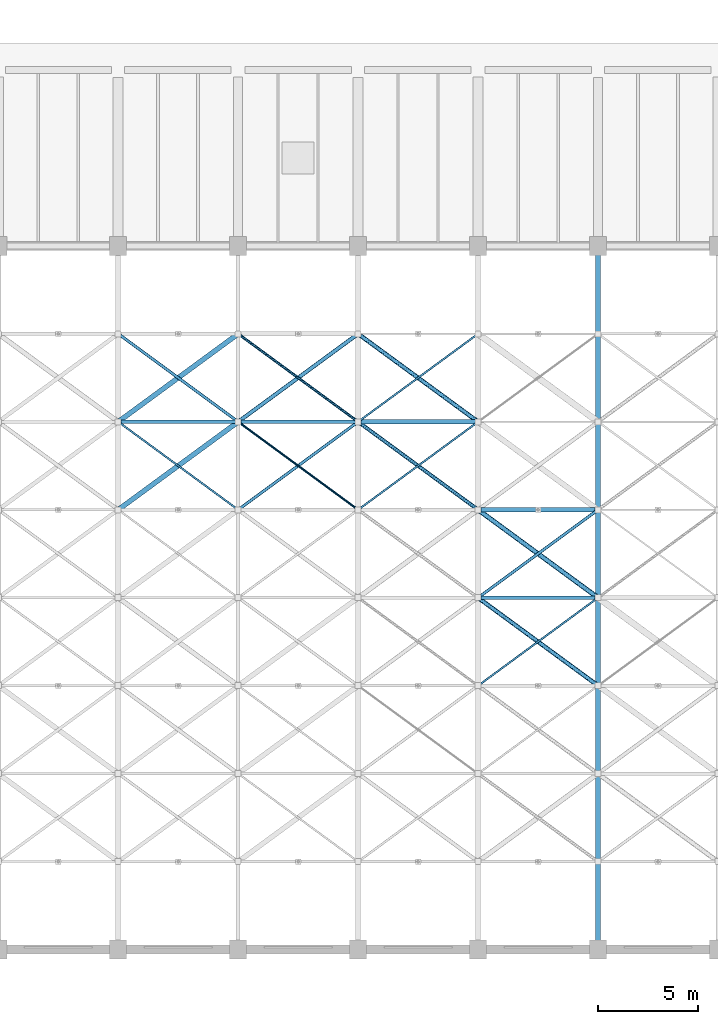
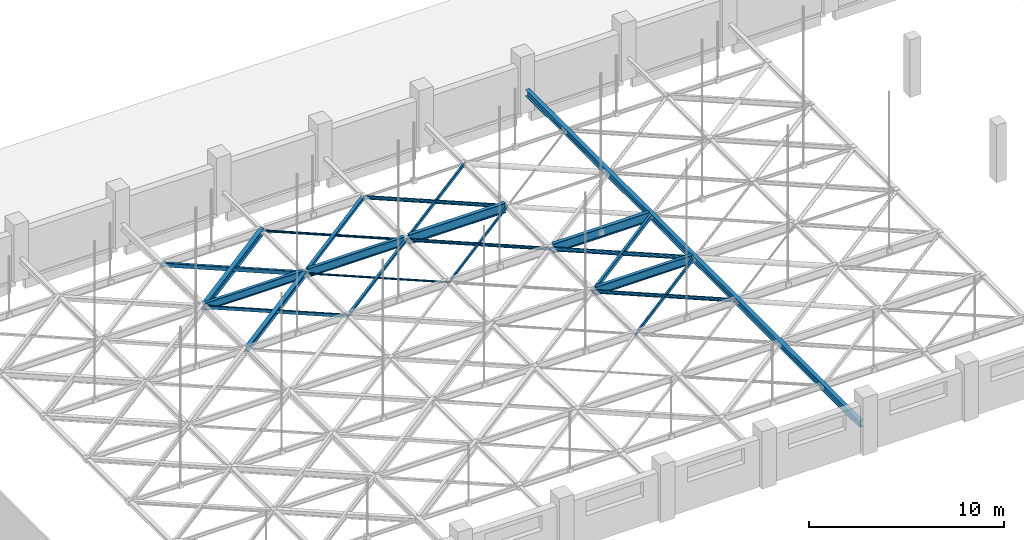
# One storey, part 44 of 93: 16 members, 6 beams.
"""IFC4 building model written with IfcOpenShell, lengths in metres."""

from ifc_helpers import new_model, si_unit, direction, frame, origin, origin_2d, place, context, subcontext, project, spatial, hollow_rectangle, hollow_circle, i_section, extrude, material, material_profile, profile_set, type_object, element, save


model = new_model("IFC4")

# Units and contexts
model_context = context("Model", 3, precision=1e-05, world=origin(), true_north=direction((0.0, 1.0)))
body_context = subcontext(model_context, "Body", "Model", "MODEL_VIEW")
ifc_project = project(units=[si_unit("LENGTHUNIT", "METRE"), si_unit("AREAUNIT", "SQUARE_METRE"), si_unit("VOLUMEUNIT", "CUBIC_METRE"), si_unit("PLANEANGLEUNIT", "RADIAN"), si_unit("MASSUNIT", "GRAM", prefix="KILO")], contexts=[model_context])

# Site, building, storey
site_placement = place(None, origin())
site = spatial("IfcSite", under=ifc_project, at=site_placement, CompositionType="ELEMENT")
building_placement = place(site_placement, origin())
building = spatial("IfcBuilding", under=site, at=building_placement, Name="Varnakota Cinema and Media Centre", CompositionType="ELEMENT")
storey_placement = place(building_placement, frame((0.0, 0.0, 12.0)))
storey = spatial("IfcBuildingStorey", under=building, at=storey_placement, Name="L03", CompositionType="ELEMENT", Elevation=12.0)

# Beams
ifc_material_1 = material(Name="Structural steel Grade 350 (E350)", Category="steel")
ifc_material_profile_1 = material_profile(ifc_material_1, i_section(OverallWidth=0.25, OverallDepth=0.39990234375, WebThickness=0.010498046875, FlangeThickness=0.0126953125, FilletRadius=0.011962890625, at=origin_2d()), Name="ISHB 400")
ifc_profile_set_1 = profile_set([ifc_material_profile_1], Name="Structural steel Grade 350 (E350)")
beam_type_1 = type_object("IfcBeamType", Name="BM-ST-ISHB400", PredefinedType="BEAM", material=ifc_profile_set_1)
beam_1_placement = place(storey_placement, frame((117.0, 0.449951171875, 1.300048828125), z_axis=(0.0, 1.0, 0.0), x_axis=(-1.0, 0.0, 0.0)))
element("IfcBeam", 1, at=beam_1_placement, inside=storey, type_object=beam_type_1, Name="V1 acoustic rigging main beam 8", PredefinedType="BEAM", context=body_context, shape_type="SweptSolid", body=[
    extrude(i_section(OverallWidth=0.25, OverallDepth=0.39990234375, WebThickness=0.010498046875, FlangeThickness=0.0126953125, FilletRadius=0.011962890625, at=origin_2d()), origin(), (0.0, 0.0, 1.0), 34.300048828125),
])
ifc_material_2 = material(Name="Structural steel Grade 350 (E350)", Category="steel")
ifc_material_profile_2 = material_profile(ifc_material_2, i_section(OverallWidth=0.179931640625, OverallDepth=0.5, WebThickness=0.01025390625, FlangeThickness=0.01708984375, FilletRadius=0.01708984375, at=origin_2d()), Name="ISMB 500")
ifc_profile_set_2 = profile_set([ifc_material_profile_2], Name="Structural steel Grade 350 (E350)")
beam_type_2 = type_object("IfcBeamType", Name="BM-ST-ISMB500", PredefinedType="BEAM", material=ifc_profile_set_2)
beam_2_placement = place(storey_placement, frame((93.139892578125, 26.39990234375, 1.300048828125), z_axis=(1.0, 0.0, 0.0), x_axis=(0.0, 1.0, 0.0)))
element("IfcBeam", 2, at=beam_2_placement, inside=storey, type_object=beam_type_2, Name="V1 rigging beam 4.6", PredefinedType="BEAM", context=body_context, shape_type="SweptSolid", body=[
    extrude(i_section(OverallWidth=0.179931640625, OverallDepth=0.5, WebThickness=0.01025390625, FlangeThickness=0.01708984375, FilletRadius=0.01708984375, at=origin_2d()), origin(), (0.0, 0.0, 1.0), 5.72021484375),
])
ifc_material_3 = material(Name="Structural steel Grade 350 (E350)", Category="steel")
ifc_material_profile_3 = material_profile(ifc_material_3, i_section(OverallWidth=0.18994140625, OverallDepth=0.550048828125, WebThickness=0.01123046875, FlangeThickness=0.019287109375, FilletRadius=0.01806640625, at=origin_2d()), Name="ISMB 550")
ifc_profile_set_3 = profile_set([ifc_material_profile_3], Name="Structural steel Grade 350 (E350)")
beam_type_3 = type_object("IfcBeamType", Name="BM-ST-ISMB550", PredefinedType="BEAM", material=ifc_profile_set_3)
for number, where, z_axis, x_axis, name in (
    (3, (99.139892578125, 26.39990234375, 1.300048828125), (1.0, 0.0, 0.0), (0.0, 1.0, 0.0), "V1 rigging beam 5.6"),
    (4, (111.139892578125, 17.60009765625, 1.300048828125), (1.0, 0.0, 0.0), (0.0, 1.0, 0.0), "V1 rigging beam 7.4"),
):
    element("IfcBeam", number, at=place(storey_placement, frame(where, z_axis=z_axis, x_axis=x_axis)), inside=storey, type_object=beam_type_3, Name=name, PredefinedType="BEAM", context=body_context, shape_type="SweptSolid", body=[
        extrude(i_section(OverallWidth=0.18994140625, OverallDepth=0.550048828125, WebThickness=0.01123046875, FlangeThickness=0.019287109375, FilletRadius=0.01806640625, at=origin_2d()), origin(), (0.0, 0.0, 1.0), 5.72021484375),
    ])
ifc_material_4 = material(Name="Structural steel Grade 350 (E350)", Category="steel")
ifc_material_profile_4 = material_profile(ifc_material_4, i_section(OverallWidth=0.2099609375, OverallDepth=0.60009765625, WebThickness=0.011962890625, FlangeThickness=0.020751953125, FilletRadius=0.02001953125, at=origin_2d()), Name="ISMB 600")
ifc_profile_set_4 = profile_set([ifc_material_profile_4], Name="Structural steel Grade 350 (E350)")
beam_type_4 = type_object("IfcBeamType", Name="BM-ST-ISMB600", PredefinedType="BEAM", material=ifc_profile_set_4)
for number, where, z_axis, x_axis, name in (
    (5, (105.139892578125, 26.39990234375, 1.300048828125), (1.0, 0.0, 0.0), (0.0, 1.0, 0.0), "V1 rigging beam 6.6"),
    (6, (111.139892578125, 22.0, 1.300048828125), (1.0, 0.0, 0.0), (0.0, 1.0, 0.0), "V1 rigging beam 7.5"),
):
    element("IfcBeam", number, at=place(storey_placement, frame(where, z_axis=z_axis, x_axis=x_axis)), inside=storey, type_object=beam_type_4, Name=name, PredefinedType="BEAM", context=body_context, shape_type="SweptSolid", body=[
        extrude(i_section(OverallWidth=0.2099609375, OverallDepth=0.60009765625, WebThickness=0.011962890625, FlangeThickness=0.020751953125, FilletRadius=0.02001953125, at=origin_2d()), origin(), (0.0, 0.0, 1.0), 5.72021484375),
    ])

# Members
ifc_material_5 = material(Name="Structural steel S355 (YSt 355)", Category="steel")
ifc_material_profile_5 = material_profile(ifc_material_5, hollow_circle(Radius=0.05712890625, WallThickness=0.00537109375, at=origin_2d()), Name="CHS 114.3x5.4")
ifc_profile_set_5 = profile_set([ifc_material_profile_5], Name="Structural steel S355 (YSt 355)")
member_type_1 = type_object("IfcMemberType", Name="MEM-ST-CHS114_3x5_4", PredefinedType="BRACE", material=ifc_profile_set_5)
member_1_placement = place(storey_placement, frame((105.0, 22.0, 1.300048828125), z_axis=(-0.80641125493, 0.591355128432, 0.0), x_axis=(-0.591355128432, -0.80641125493, 0.0)))
element("IfcMember", 7, at=member_1_placement, inside=storey, type_object=member_type_1, Name="V1 rigging plan member B 5.5", PredefinedType="BRACE", context=body_context, shape_type="SweptSolid", body=[
    extrude(hollow_circle(Radius=0.05712890625, WallThickness=0.00537109375, at=origin_2d()), origin(), (0.0, 0.0, 1.0), 7.4404296875),
])
ifc_material_6 = material(Name="Structural steel S355 (YSt 355)", Category="steel")
ifc_material_profile_6 = material_profile(ifc_material_6, hollow_circle(Radius=0.06982421875, WallThickness=0.006103515625, at=origin_2d()), Name="CHS 139.7x6.0")
ifc_profile_set_6 = profile_set([ifc_material_profile_6], Name="Structural steel S355 (YSt 355)")
member_type_2 = type_object("IfcMemberType", Name="MEM-ST-CHS139_7x6_0", PredefinedType="CHORD", material=ifc_profile_set_6)
member_2_placement = place(storey_placement, frame((105.0, 26.39990234375, 1.300048828125), z_axis=(-0.806395607258, 0.591376466048, 0.0), x_axis=(-0.591376466048, -0.806395607258, 0.0)))
element("IfcMember", 8, at=member_2_placement, inside=storey, type_object=member_type_2, Name="V1 rigging plan member B 5.6", PredefinedType="CHORD", context=body_context, shape_type="SweptSolid", body=[
    extrude(hollow_circle(Radius=0.06982421875, WallThickness=0.006103515625, at=origin_2d()), origin(), (0.0, 0.0, 1.0), 7.4404296875),
])
ifc_material_7 = material(Name="Structural steel S355 (YSt 355)", Category="steel")
ifc_material_profile_7 = material_profile(ifc_material_7, hollow_circle(Radius=0.096923828125, WallThickness=0.00634765625, at=origin_2d()), Name="CHS 193.7x6.3")
ifc_profile_set_7 = profile_set([ifc_material_profile_7], Name="Structural steel S355 (YSt 355)")
member_type_3 = type_object("IfcMemberType", Name="MEM-ST-CHS193_7x6_3", PredefinedType="CHORD", material=ifc_profile_set_7)
member_3_placement = place(storey_placement, frame((111.0, 22.0, 1.300048828125), z_axis=(-0.80641125493, 0.591355128432, 0.0), x_axis=(-0.591355128432, -0.80641125493, 0.0)))
element("IfcMember", 9, at=member_3_placement, inside=storey, type_object=member_type_3, Name="V1 rigging plan member B 6.5", PredefinedType="CHORD", context=body_context, shape_type="SweptSolid", body=[
    extrude(hollow_circle(Radius=0.096923828125, WallThickness=0.00634765625, at=origin_2d()), origin(), (0.0, 0.0, 1.0), 7.4404296875),
])
ifc_material_8 = material(Name="Structural steel S355 (YSt 355)", Category="steel")
ifc_material_profile_8 = material_profile(ifc_material_8, hollow_circle(Radius=0.109619140625, WallThickness=0.008056640625, at=origin_2d()), Name="CHS 219.1x8.0")
ifc_profile_set_8 = profile_set([ifc_material_profile_8], Name="Structural steel S355 (YSt 355)")
member_type_4 = type_object("IfcMemberType", Name="MEM-ST-CHS219_1x8_0", PredefinedType="BRACE", material=ifc_profile_set_8)
for number, where, z_axis, x_axis, name in (
    (10, (111.0, 26.39990234375, 1.300048828125), (-0.806395607258, 0.591376466048, 0.0), (-0.591376466048, -0.806395607258, 0.0), "V1 rigging plan member B 6.6"),
    (11, (117.0, 13.199951171875, 1.300048828125), (-0.806395607258, 0.591376466048, 0.0), (-0.591376466048, -0.806395607258, 0.0), "V1 rigging plan member B 7.3"),
):
    element("IfcMember", number, at=place(storey_placement, frame(where, z_axis=z_axis, x_axis=x_axis)), inside=storey, type_object=member_type_4, Name=name, PredefinedType="BRACE", context=body_context, shape_type="SweptSolid", body=[
        extrude(hollow_circle(Radius=0.109619140625, WallThickness=0.008056640625, at=origin_2d()), origin(), (0.0, 0.0, 1.0), 7.4404296875),
    ])
ifc_material_9 = material(Name="Structural steel S355 (YSt 355)", Category="steel")
ifc_material_profile_9 = material_profile(ifc_material_9, hollow_circle(Radius=0.122314453125, WallThickness=0.008056640625, at=origin_2d()), Name="CHS 244.5x8.0")
ifc_profile_set_9 = profile_set([ifc_material_profile_9], Name="Structural steel S355 (YSt 355)")
member_type_5 = type_object("IfcMemberType", Name="MEM-ST-CHS244_5x8_0", PredefinedType="CHORD", material=ifc_profile_set_9)
member_4_placement = place(storey_placement, frame((117.0, 17.60009765625, 1.300048828125), z_axis=(-0.80641125493, 0.591355128432, 0.0), x_axis=(-0.591355128432, -0.80641125493, 0.0)))
element("IfcMember", 12, at=member_4_placement, inside=storey, type_object=member_type_5, Name="V1 rigging plan member B 7.4", PredefinedType="CHORD", context=body_context, shape_type="SweptSolid", body=[
    extrude(hollow_circle(Radius=0.122314453125, WallThickness=0.008056640625, at=origin_2d()), origin(), (0.0, 0.0, 1.0), 7.4404296875),
])
ifc_material_10 = material(Name="Structural steel Grade 350 (E350)", Category="steel")
ifc_material_profile_10 = material_profile(ifc_material_10, i_section(OverallWidth=0.25, OverallDepth=0.300048828125, WebThickness=0.009521484375, FlangeThickness=0.010498046875, FilletRadius=0.010986328125, at=origin_2d()), Name="ISHB 300")
ifc_profile_set_10 = profile_set([ifc_material_profile_10], Name="Structural steel Grade 350 (E350)")
member_type_6 = type_object("IfcMemberType", Name="MEM-ST-ISHB300", PredefinedType="CHORD", material=ifc_profile_set_10)
member_5_placement = place(storey_placement, frame((93.0, 22.0, 1.300048828125), z_axis=(0.80641125493, 0.591355128432, 0.0), x_axis=(-0.591355128432, 0.80641125493, 0.0)))
element("IfcMember", 13, at=member_5_placement, inside=storey, type_object=member_type_6, Name="V1 rigging plan member A 4.5", PredefinedType="CHORD", context=body_context, shape_type="SweptSolid", body=[
    extrude(i_section(OverallWidth=0.25, OverallDepth=0.300048828125, WebThickness=0.009521484375, FlangeThickness=0.010498046875, FilletRadius=0.010986328125, at=origin_2d()), origin(), (0.0, 0.0, 1.0), 7.4404296875),
])
ifc_material_11 = material(Name="Structural steel Grade 350 (E350)", Category="steel")
ifc_material_profile_11 = material_profile(ifc_material_11, i_section(OverallWidth=0.25, OverallDepth=0.39990234375, WebThickness=0.010498046875, FlangeThickness=0.0126953125, FilletRadius=0.011962890625, at=origin_2d()), Name="ISHB 400")
ifc_profile_set_11 = profile_set([ifc_material_profile_11], Name="Structural steel Grade 350 (E350)")
member_type_7 = type_object("IfcMemberType", Name="MEM-ST-ISHB400", PredefinedType="CHORD", material=ifc_profile_set_11)
member_6_placement = place(storey_placement, frame((93.0, 26.39990234375, 1.300048828125), z_axis=(0.806395607258, 0.591376466048, 0.0), x_axis=(-0.591376466048, 0.806395607258, 0.0)))
element("IfcMember", 14, at=member_6_placement, inside=storey, type_object=member_type_7, Name="V1 rigging plan member A 4.6", PredefinedType="CHORD", context=body_context, shape_type="SweptSolid", body=[
    extrude(i_section(OverallWidth=0.25, OverallDepth=0.39990234375, WebThickness=0.010498046875, FlangeThickness=0.0126953125, FilletRadius=0.011962890625, at=origin_2d()), origin(), (0.0, 0.0, 1.0), 7.4404296875),
])
ifc_material_12 = material(Name="Structural steel S355 (YSt 355)", Category="steel")
ifc_material_profile_12 = material_profile(ifc_material_12, hollow_rectangle(XDim=0.10009765625, YDim=0.14990234375, WallThickness=0.006103515625, InnerFilletRadius=0.006103515625, OuterFilletRadius=0.011962890625, at=origin_2d()), Name="RHS 150x100x6")
ifc_profile_set_12 = profile_set([ifc_material_profile_12], Name="Structural steel S355 (YSt 355)")
member_type_8 = type_object("IfcMemberType", Name="MEM-ST-RHS150x100x6", PredefinedType="PURLIN", material=ifc_profile_set_12)
member_7_placement = place(storey_placement, frame((105.0, 22.0, 1.300048828125), z_axis=(0.80641125493, 0.591355128432, 0.0), x_axis=(-0.591355128432, 0.80641125493, 0.0)))
element("IfcMember", 15, at=member_7_placement, inside=storey, type_object=member_type_8, Name="V1 rigging plan member A 6.5", PredefinedType="PURLIN", context=body_context, shape_type="SweptSolid", body=[
    extrude(hollow_rectangle(XDim=0.10009765625, YDim=0.14990234375, WallThickness=0.006103515625, InnerFilletRadius=0.006103515625, OuterFilletRadius=0.011962890625, at=origin_2d()), origin(), (0.0, 0.0, 1.0), 7.4404296875),
])
ifc_material_13 = material(Name="Structural steel S355 (YSt 355)", Category="steel")
ifc_material_profile_13 = material_profile(ifc_material_13, hollow_rectangle(XDim=0.10009765625, YDim=0.199951171875, WallThickness=0.006103515625, InnerFilletRadius=0.006103515625, OuterFilletRadius=0.011962890625, at=origin_2d()), Name="RHS 200x100x6")
ifc_profile_set_13 = profile_set([ifc_material_profile_13], Name="Structural steel S355 (YSt 355)")
member_type_9 = type_object("IfcMemberType", Name="MEM-ST-RHS200x100x6", PredefinedType="PURLIN", material=ifc_profile_set_13)
for number, where, z_axis, x_axis, name in (
    (16, (99.0, 22.0, 1.300048828125), (-0.80641125493, 0.591355128432, 0.0), (-0.591355128432, -0.80641125493, 0.0), "V1 rigging plan member B 4.5"),
    (17, (105.0, 26.39990234375, 1.300048828125), (0.806395607258, 0.591376466048, 0.0), (-0.591376466048, 0.806395607258, 0.0), "V1 rigging plan member A 6.6"),
    (18, (111.0, 13.199951171875, 1.300048828125), (0.806395607258, 0.591376466048, 0.0), (-0.591376466048, 0.806395607258, 0.0), "V1 rigging plan member A 7.3"),
):
    element("IfcMember", number, at=place(storey_placement, frame(where, z_axis=z_axis, x_axis=x_axis)), inside=storey, type_object=member_type_9, Name=name, PredefinedType="PURLIN", context=body_context, shape_type="SweptSolid", body=[
        extrude(hollow_rectangle(XDim=0.10009765625, YDim=0.199951171875, WallThickness=0.006103515625, InnerFilletRadius=0.006103515625, OuterFilletRadius=0.011962890625, at=origin_2d()), origin(), (0.0, 0.0, 1.0), 7.4404296875),
    ])
ifc_material_14 = material(Name="Structural steel S355 (YSt 355)", Category="steel")
ifc_material_profile_14 = material_profile(ifc_material_14, hollow_rectangle(XDim=0.14990234375, YDim=0.25, WallThickness=0.008056640625, InnerFilletRadius=0.008056640625, OuterFilletRadius=0.01611328125, at=origin_2d()), Name="RHS 250x150x8")
ifc_profile_set_14 = profile_set([ifc_material_profile_14], Name="Structural steel S355 (YSt 355)")
member_type_10 = type_object("IfcMemberType", Name="MEM-ST-RHS250x150x8", PredefinedType="PURLIN", material=ifc_profile_set_14)
for number, where, z_axis, x_axis, name in (
    (19, (99.0, 26.39990234375, 1.300048828125), (-0.806395607258, 0.591376466048, 0.0), (-0.591376466048, -0.806395607258, 0.0), "V1 rigging plan member B 4.6"),
    (20, (111.0, 17.60009765625, 1.300048828125), (0.80641125493, 0.591355128432, 0.0), (-0.591355128432, 0.80641125493, 0.0), "V1 rigging plan member A 7.4"),
):
    element("IfcMember", number, at=place(storey_placement, frame(where, z_axis=z_axis, x_axis=x_axis)), inside=storey, type_object=member_type_10, Name=name, PredefinedType="PURLIN", context=body_context, shape_type="SweptSolid", body=[
        extrude(hollow_rectangle(XDim=0.14990234375, YDim=0.25, WallThickness=0.008056640625, InnerFilletRadius=0.008056640625, OuterFilletRadius=0.01611328125, at=origin_2d()), origin(), (0.0, 0.0, 1.0), 7.4404296875),
    ])
ifc_material_15 = material(Name="Structural steel S355 (YSt 355)", Category="steel")
ifc_material_profile_15 = material_profile(ifc_material_15, hollow_rectangle(XDim=0.14990234375, YDim=0.14990234375, WallThickness=0.008056640625, InnerFilletRadius=0.008056640625, OuterFilletRadius=0.01611328125, at=origin_2d()), Name="SHS 150x150x8")
ifc_profile_set_15 = profile_set([ifc_material_profile_15], Name="Structural steel S355 (YSt 355)")
member_type_11 = type_object("IfcMemberType", Name="MEM-ST-SHS150x150x8", PredefinedType="STRUT", material=ifc_profile_set_15)
member_8_placement = place(storey_placement, frame((99.0, 22.0, 1.300048828125), z_axis=(0.80641125493, 0.591355128432, 0.0), x_axis=(-0.591355128432, 0.80641125493, 0.0)))
element("IfcMember", 21, at=member_8_placement, inside=storey, type_object=member_type_11, Name="V1 rigging plan member A 5.5", PredefinedType="STRUT", context=body_context, shape_type="SweptSolid", body=[
    extrude(hollow_rectangle(XDim=0.14990234375, YDim=0.14990234375, WallThickness=0.008056640625, InnerFilletRadius=0.008056640625, OuterFilletRadius=0.01611328125, at=origin_2d()), origin(), (0.0, 0.0, 1.0), 7.4404296875),
])
ifc_material_16 = material(Name="Structural steel S355 (YSt 355)", Category="steel")
ifc_material_profile_16 = material_profile(ifc_material_16, hollow_rectangle(XDim=0.199951171875, YDim=0.199951171875, WallThickness=0.010009765625, InnerFilletRadius=0.010009765625, OuterFilletRadius=0.02001953125, at=origin_2d()), Name="SHS 200x200x10")
ifc_profile_set_16 = profile_set([ifc_material_profile_16], Name="Structural steel S355 (YSt 355)")
member_type_12 = type_object("IfcMemberType", Name="MEM-ST-SHS200x200x10", PredefinedType="STRUT", material=ifc_profile_set_16)
member_9_placement = place(storey_placement, frame((99.0, 26.39990234375, 1.300048828125), z_axis=(0.806395607258, 0.591376466048, 0.0), x_axis=(-0.591376466048, 0.806395607258, 0.0)))
element("IfcMember", 22, at=member_9_placement, inside=storey, type_object=member_type_12, Name="V1 rigging plan member A 5.6", PredefinedType="STRUT", context=body_context, shape_type="SweptSolid", body=[
    extrude(hollow_rectangle(XDim=0.199951171875, YDim=0.199951171875, WallThickness=0.010009765625, InnerFilletRadius=0.010009765625, OuterFilletRadius=0.02001953125, at=origin_2d()), origin(), (0.0, 0.0, 1.0), 7.4404296875),
])

save(model, "model.ifc")
